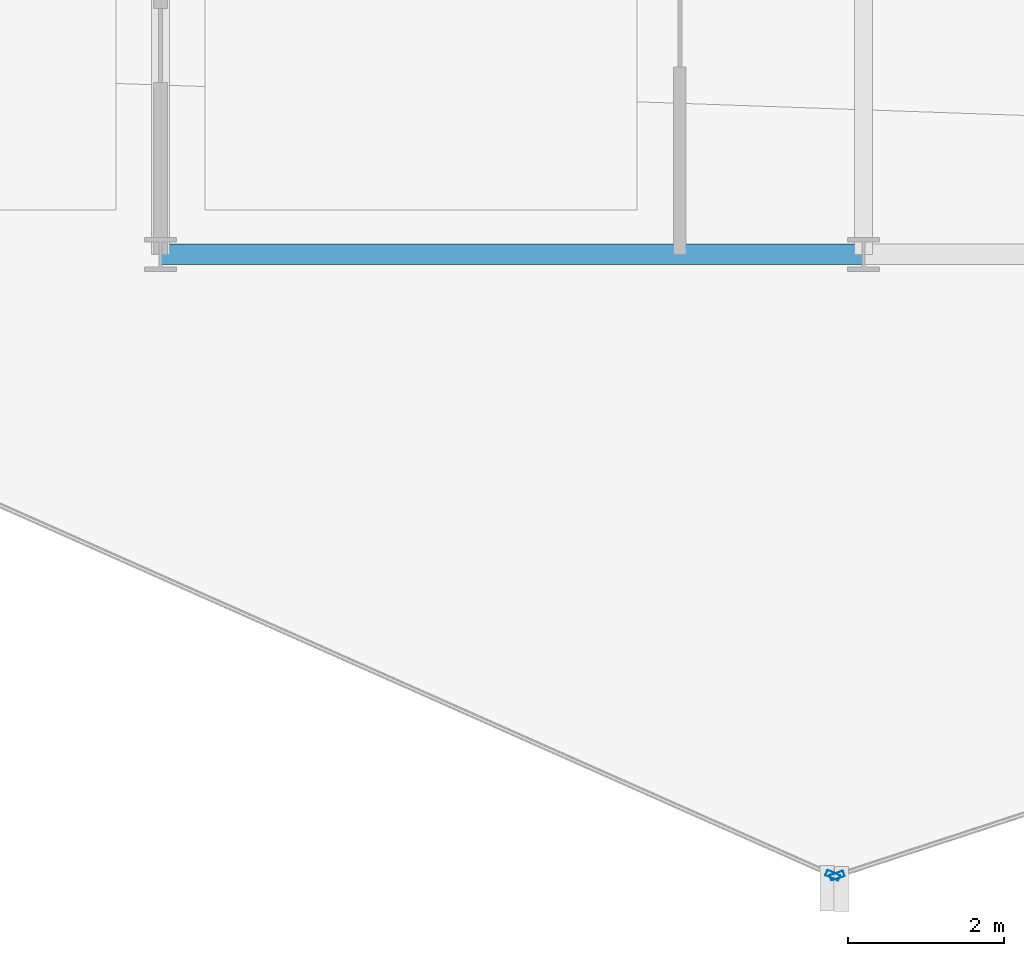
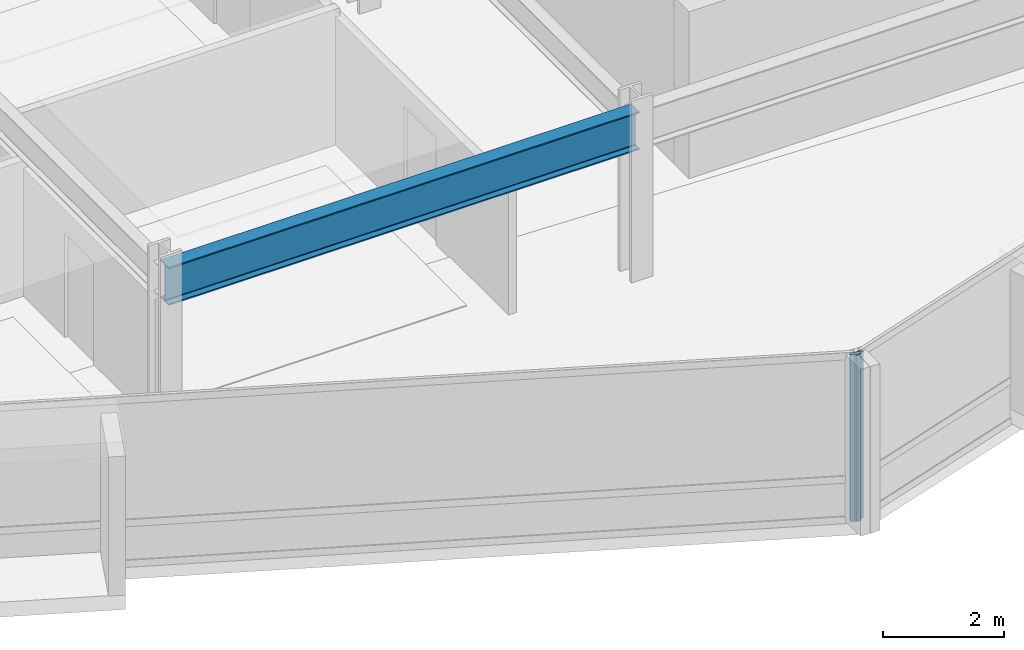
# One storey, part 4 of 29: 2 members, 1 beam, 2 elements without a shape of their own.
"""IFC4 building model written with IfcOpenShell, lengths in metres."""

from ifc_helpers import new_model, si_unit, direction, frame, origin, origin_2d, place, context, subcontext, project, spatial, hollow_rectangle, i_section, extrude, material, layer, layer_set, material_profile, profile_set, type_object, element, aggregate, save


model = new_model("IFC4")

# Units and contexts
model_context = context("Model", 3, precision=1e-05, world=origin(), true_north=direction((0.0, 1.0)))
body_context = subcontext(model_context, "Body", "Model", "MODEL_VIEW")
ifc_project = project(units=[si_unit("LENGTHUNIT", "METRE"), si_unit("AREAUNIT", "SQUARE_METRE"), si_unit("VOLUMEUNIT", "CUBIC_METRE"), si_unit("PLANEANGLEUNIT", "RADIAN"), si_unit("MASSUNIT", "GRAM", prefix="KILO")], contexts=[model_context])

# Site, building, storey
site_placement = place(None, origin())
site = spatial("IfcSite", under=ifc_project, at=site_placement, CompositionType="ELEMENT")
building_placement = place(site_placement, origin())
building = spatial("IfcBuilding", under=site, at=building_placement, Name="Solvaryn Broadcast Tower", CompositionType="ELEMENT")
storey_placement = place(building_placement, frame((0.0, 0.0, 165.5)))
storey = spatial("IfcBuildingStorey", under=building, at=storey_placement, Name="L41", CompositionType="ELEMENT", Elevation=165.5)

# Beam
ifc_material_1 = material(Name="Steel ASTM A992 Grade 50", Category="steel")
ifc_material_profile_1 = material_profile(ifc_material_1, i_section(OverallWidth=0.26708984375, OverallDepth=0.76611328125, WebThickness=0.014892578125, FlangeThickness=0.023681640625, FilletRadius=0.01806640625, at=origin_2d()))
ifc_profile_set_1 = profile_set([ifc_material_profile_1], Name="Steel ASTM A992 Grade 50")
beam_type = type_object("IfcBeamType", Name="BM-SP2-W30X124", PredefinedType="USERDEFINED", material=ifc_profile_set_1)
beam_placement = place(storey_placement, frame((18.0, 9.0, 2.987060546875), z_axis=(1.0, 0.0, 0.0), x_axis=(0.0, 1.0, 0.0)))
element("IfcBeam", 1, at=beam_placement, inside=storey, type_object=beam_type, Name="L41 Spandrel Beam X (18-27 @ Y=9)", ObjectType="SPANDREL", PredefinedType="USERDEFINED", context=body_context, shape_type="SweptSolid", body=[
    extrude(i_section(OverallWidth=0.26708984375, OverallDepth=0.76611328125, WebThickness=0.014892578125, FlangeThickness=0.023681640625, FilletRadius=0.01806640625, at=origin_2d()), origin(), (0.0, 0.0, 1.0), 9.0),
])

# Curtain wall, member
ifc_material_2 = material(Name="Aluminium and Terracotta Unitised Curtain Wall", Category="masonry")
ifc_layer = layer(ifc_material_2, 0.199951171875)
ifc_layer_set = layer_set([ifc_layer], Name="CW-SYS2-LOWMID")
curtain_wall_type = type_object("IfcCurtainWallType", Name="CW-SYS2-LOWMID", PredefinedType="NOTDEFINED", material=ifc_layer_set)
curtain_wall_1_placement = place(storey_placement, origin())
curtain_wall_1 = element("IfcCurtainWall", 2, at=curtain_wall_1_placement, inside=storey, type_object=curtain_wall_type, Name="L41 Curtain Wall DR3", PredefinedType="NOTDEFINED")
ifc_material_3 = material(Name="Anodised Aluminium 6063-T6", Category="aluminium")
ifc_material_profile_2 = material_profile(ifc_material_3, hollow_rectangle(XDim=0.074951171875, YDim=0.179931640625, WallThickness=0.00390625, InnerFilletRadius=0.00390625, OuterFilletRadius=0.008056640625, at=origin_2d()))
ifc_profile_set_2 = profile_set([ifc_material_profile_2], Name="Anodised Aluminium 6063-T6")
member_type = type_object("IfcMemberType", Name="CW-MUL-180", PredefinedType="MULLION", material=ifc_profile_set_2)
member_1_placement = place(storey_placement, frame((26.608642578125, 1.046142578125, 0.0), z_axis=(0.0, 0.0, 1.0), x_axis=(0.405918429309, 0.913909311008, 0.0)))
member_1 = element("IfcMember", 3, at=member_1_placement, type_object=member_type, Name="CWS2 mullion 2", PredefinedType="MULLION", context=body_context, shape_type="SweptSolid", body=[
    extrude(hollow_rectangle(XDim=0.074951171875, YDim=0.179931640625, WallThickness=0.00390625, InnerFilletRadius=0.00390625, OuterFilletRadius=0.008056640625, at=origin_2d()), origin(), (0.0, 0.0, 1.0), 3.3701171875),
])
aggregate(curtain_wall_1, [member_1])

curtain_wall_2_placement = place(storey_placement, origin())
curtain_wall_2 = element("IfcCurtainWall", 4, at=curtain_wall_2_placement, inside=storey, type_object=curtain_wall_type, Name="L41 Curtain Wall DR4", PredefinedType="NOTDEFINED")
member_2_placement = place(storey_placement, frame((26.66455078125, 1.04345703125, 0.0), z_axis=(0.0, 0.0, 1.0), x_axis=(-0.311646057547, 0.950198260794, 0.0)))
member_2 = element("IfcMember", 5, at=member_2_placement, type_object=member_type, Name="CWS2 mullion 1", PredefinedType="MULLION", context=body_context, shape_type="SweptSolid", body=[
    extrude(hollow_rectangle(XDim=0.074951171875, YDim=0.179931640625, WallThickness=0.00390625, InnerFilletRadius=0.00390625, OuterFilletRadius=0.008056640625, at=origin_2d()), origin(), (0.0, 0.0, 1.0), 3.3701171875),
])
aggregate(curtain_wall_2, [member_2])

save(model, "model.ifc")
